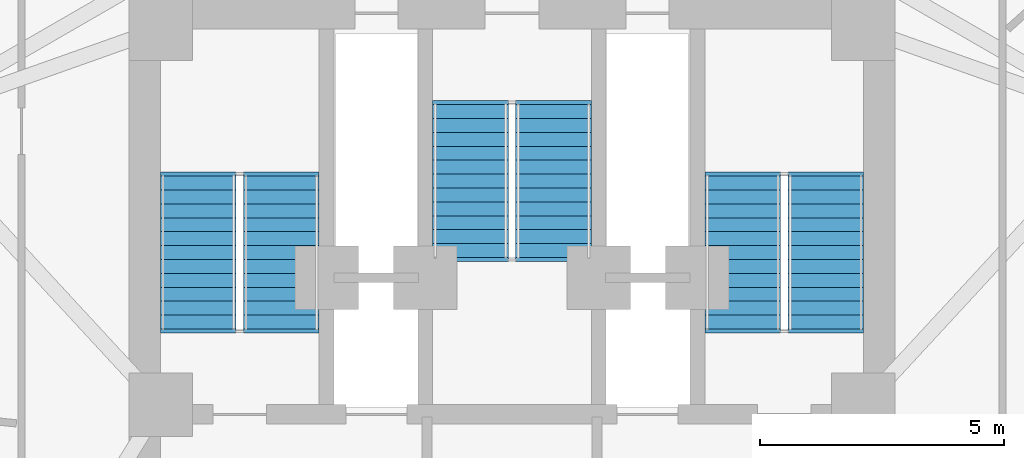
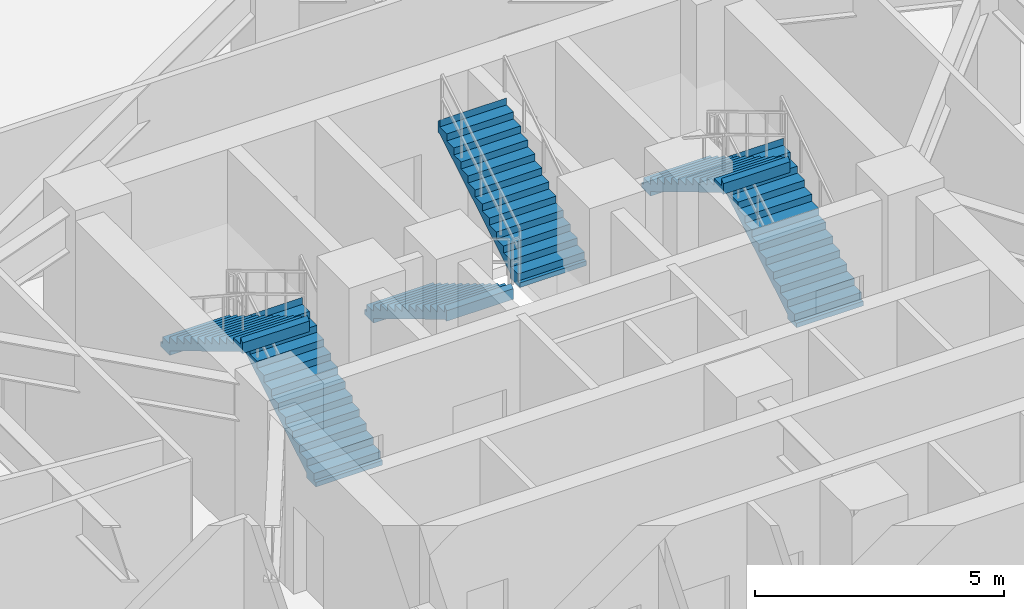
# One storey, part 8 of 12: 6 stair flights, 3 elements without a shape of their own.
"""IFC4 building model written with IfcOpenShell, lengths in metres."""

from ifc_helpers import new_model, si_unit, direction, frame, origin, place, context, subcontext, project, spatial, polyline, outline, extrude, material, type_object, element, aggregate, save


model = new_model("IFC4")

# Units and contexts
model_context = context("Model", 3, precision=1e-05, world=origin(), true_north=direction((0.0, 1.0)))
body_context = subcontext(model_context, "Body", "Model", "MODEL_VIEW")
ifc_project = project(units=[si_unit("LENGTHUNIT", "METRE"), si_unit("AREAUNIT", "SQUARE_METRE"), si_unit("VOLUMEUNIT", "CUBIC_METRE"), si_unit("PLANEANGLEUNIT", "RADIAN"), si_unit("MASSUNIT", "GRAM", prefix="KILO")], contexts=[model_context])

# Site, building, storey
site_placement = place(None, origin())
site = spatial("IfcSite", under=ifc_project, at=site_placement, CompositionType="ELEMENT")
building_placement = place(site_placement, origin())
building = spatial("IfcBuilding", under=site, at=building_placement, Name="Apsidion Concourse Tower", CompositionType="ELEMENT")
storey_placement = place(building_placement, frame((0.0, 0.0, 173.699951171875)))
storey = spatial("IfcBuildingStorey", under=building, at=storey_placement, Name="L40", CompositionType="ELEMENT", Elevation=173.699951171875)

# Stair, stair flights
ifc_material = material(Name="Precast concrete C40/50", Category="concrete")
stair_type = type_object("IfcStairType", Name="ST-DL-1550", PredefinedType="HALF_TURN_STAIR", material=ifc_material)
stair_1_placement = place(storey_placement, origin())
stair_1 = element("IfcStair", 1, at=stair_1_placement, inside=storey, type_object=stair_type, Name="L40 Protected Core Exit Stair ST1", PredefinedType="HALF_TURN_STAIR")
stair_flight_type = type_object("IfcStairFlightType", Name="SFL-RC-1550", PredefinedType="STRAIGHT", material=ifc_material)
stair_flight_1_placement = place(storey_placement, frame((-4.72509765625, 3.0, 0.0), z_axis=(0.0, 0.0, 1.0), x_axis=(0.0, 1.0, 0.0)))
stair_flight_1 = element("IfcStairFlight", 2, at=stair_flight_1_placement, type_object=stair_flight_type, Name="ST1 flight 1", NumberOfRisers=12, NumberOfTreads=11, PredefinedType="STRAIGHT", RiserHeight=0.170833333, TreadLength=0.285, context=body_context, shape_type="SweptSolid", body=[
    extrude(outline(polyline([(-0.080078125, -0.1123046875), (-0.080078125, 0.0), (0.0, 0.0), (0.0, 0.1708984375), (0.284912109375, 0.1708984375), (0.284912109375, 0.341552734375), (0.570068359375, 0.341552734375), (0.570068359375, 0.512451171875), (0.85498046875, 0.512451171875), (0.85498046875, 0.683349609375), (1.139892578125, 0.683349609375), (1.139892578125, 0.854248046875), (1.425048828125, 0.854248046875), (1.425048828125, 1.02490234375), (1.7099609375, 1.02490234375), (1.7099609375, 1.19580078125), (1.9951171875, 1.19580078125), (1.9951171875, 1.36669921875), (2.280029296875, 1.36669921875), (2.280029296875, 1.53759765625), (2.56494140625, 1.53759765625), (2.56494140625, 1.708251953125), (2.85009765625, 1.708251953125), (2.85009765625, 1.879150390625), (3.135009765625, 1.879150390625), (3.135009765625, 2.050048828125), (3.215087890625, 1.964599609375), (3.215087890625, 1.704345703125), (3.135009765625, 1.704345703125), (0.29150390625, 0.0), (0.29150390625, -0.1123046875), (-0.080078125, -0.1123046875)])), frame((0.0, 0.77490234375, 0.0), z_axis=(0.0, -1.0, 0.0), x_axis=(1.0, 0.0, 0.0)), (0.0, 0.0, 1.0), 1.550048828125),
])
stair_flight_2_placement = place(storey_placement, frame((-6.425048828125, 6.135009765625, 2.050048828125), z_axis=(0.0, 0.0, 1.0), x_axis=(0.0, -1.0, 0.0)))
stair_flight_2 = element("IfcStairFlight", 3, at=stair_flight_2_placement, type_object=stair_flight_type, Name="ST1 flight 2", NumberOfRisers=12, NumberOfTreads=11, PredefinedType="STRAIGHT", RiserHeight=0.170833333, TreadLength=0.285, context=body_context, shape_type="SweptSolid", body=[
    extrude(outline(polyline([(-0.080078125, -0.1123046875), (-0.080078125, 0.0), (0.0, 0.0), (0.0, 0.1708984375), (0.284912109375, 0.1708984375), (0.284912109375, 0.341552734375), (0.570068359375, 0.341552734375), (0.570068359375, 0.512451171875), (0.85498046875, 0.512451171875), (0.85498046875, 0.683349609375), (1.139892578125, 0.683349609375), (1.139892578125, 0.854248046875), (1.425048828125, 0.854248046875), (1.425048828125, 1.02490234375), (1.7099609375, 1.02490234375), (1.7099609375, 1.19580078125), (1.9951171875, 1.19580078125), (1.9951171875, 1.36669921875), (2.280029296875, 1.36669921875), (2.280029296875, 1.53759765625), (2.56494140625, 1.53759765625), (2.56494140625, 1.708251953125), (2.85009765625, 1.708251953125), (2.85009765625, 1.879150390625), (3.135009765625, 1.879150390625), (3.135009765625, 2.050048828125), (3.215087890625, 1.964599609375), (3.215087890625, 1.704345703125), (3.135009765625, 1.704345703125), (0.29150390625, 0.0), (0.29150390625, -0.1123046875), (-0.080078125, -0.1123046875)])), frame((0.0, 0.77490234375, 0.0), z_axis=(0.0, -1.0, 0.0), x_axis=(1.0, 0.0, 0.0)), (0.0, 0.0, 1.0), 1.550048828125),
])
aggregate(stair_1, [stair_flight_1, stair_flight_2])

stair_2_placement = place(storey_placement, origin())
stair_2 = element("IfcStair", 4, at=stair_2_placement, inside=storey, type_object=stair_type, Name="L40 Protected Core Exit Stair ST2", PredefinedType="HALF_TURN_STAIR")
stair_flight_3_placement = place(storey_placement, frame((6.425048828125, 3.0, 0.0), z_axis=(0.0, 0.0, 1.0), x_axis=(0.0, 1.0, 0.0)))
stair_flight_3 = element("IfcStairFlight", 5, at=stair_flight_3_placement, type_object=stair_flight_type, Name="ST2 flight 1", NumberOfRisers=12, NumberOfTreads=11, PredefinedType="STRAIGHT", RiserHeight=0.170833333, TreadLength=0.285, context=body_context, shape_type="SweptSolid", body=[
    extrude(outline(polyline([(-0.080078125, -0.1123046875), (-0.080078125, 0.0), (0.0, 0.0), (0.0, 0.1708984375), (0.284912109375, 0.1708984375), (0.284912109375, 0.341552734375), (0.570068359375, 0.341552734375), (0.570068359375, 0.512451171875), (0.85498046875, 0.512451171875), (0.85498046875, 0.683349609375), (1.139892578125, 0.683349609375), (1.139892578125, 0.854248046875), (1.425048828125, 0.854248046875), (1.425048828125, 1.02490234375), (1.7099609375, 1.02490234375), (1.7099609375, 1.19580078125), (1.9951171875, 1.19580078125), (1.9951171875, 1.36669921875), (2.280029296875, 1.36669921875), (2.280029296875, 1.53759765625), (2.56494140625, 1.53759765625), (2.56494140625, 1.708251953125), (2.85009765625, 1.708251953125), (2.85009765625, 1.879150390625), (3.135009765625, 1.879150390625), (3.135009765625, 2.050048828125), (3.215087890625, 1.964599609375), (3.215087890625, 1.704345703125), (3.135009765625, 1.704345703125), (0.29150390625, 0.0), (0.29150390625, -0.1123046875), (-0.080078125, -0.1123046875)])), frame((0.0, 0.77490234375, 0.0), z_axis=(0.0, -1.0, 0.0), x_axis=(1.0, 0.0, 0.0)), (0.0, 0.0, 1.0), 1.550048828125),
])
stair_flight_4_placement = place(storey_placement, frame((4.72509765625, 6.135009765625, 2.050048828125), z_axis=(0.0, 0.0, 1.0), x_axis=(0.0, -1.0, 0.0)))
stair_flight_4 = element("IfcStairFlight", 6, at=stair_flight_4_placement, type_object=stair_flight_type, Name="ST2 flight 2", NumberOfRisers=12, NumberOfTreads=11, PredefinedType="STRAIGHT", RiserHeight=0.170833333, TreadLength=0.285, context=body_context, shape_type="SweptSolid", body=[
    extrude(outline(polyline([(-0.080078125, -0.1123046875), (-0.080078125, 0.0), (0.0, 0.0), (0.0, 0.1708984375), (0.284912109375, 0.1708984375), (0.284912109375, 0.341552734375), (0.570068359375, 0.341552734375), (0.570068359375, 0.512451171875), (0.85498046875, 0.512451171875), (0.85498046875, 0.683349609375), (1.139892578125, 0.683349609375), (1.139892578125, 0.854248046875), (1.425048828125, 0.854248046875), (1.425048828125, 1.02490234375), (1.7099609375, 1.02490234375), (1.7099609375, 1.19580078125), (1.9951171875, 1.19580078125), (1.9951171875, 1.36669921875), (2.280029296875, 1.36669921875), (2.280029296875, 1.53759765625), (2.56494140625, 1.53759765625), (2.56494140625, 1.708251953125), (2.85009765625, 1.708251953125), (2.85009765625, 1.879150390625), (3.135009765625, 1.879150390625), (3.135009765625, 2.050048828125), (3.215087890625, 1.964599609375), (3.215087890625, 1.704345703125), (3.135009765625, 1.704345703125), (0.29150390625, 0.0), (0.29150390625, -0.1123046875), (-0.080078125, -0.1123046875)])), frame((0.0, 0.77490234375, 0.0), z_axis=(0.0, -1.0, 0.0), x_axis=(1.0, 0.0, 0.0)), (0.0, 0.0, 1.0), 1.550048828125),
])
aggregate(stair_2, [stair_flight_3, stair_flight_4])

stair_3_placement = place(storey_placement, origin())
stair_3 = element("IfcStair", 7, at=stair_3_placement, inside=storey, type_object=stair_type, Name="L40 Protected Core Exit Stair ST3", PredefinedType="HALF_TURN_STAIR")
stair_flight_5_placement = place(storey_placement, frame((-0.85009765625, 7.60009765625, 0.0), z_axis=(0.0, 0.0, 1.0), x_axis=(0.0, -1.0, 0.0)))
stair_flight_5 = element("IfcStairFlight", 8, at=stair_flight_5_placement, type_object=stair_flight_type, Name="ST3 flight 1", NumberOfRisers=12, NumberOfTreads=11, PredefinedType="STRAIGHT", RiserHeight=0.170833333, TreadLength=0.285, context=body_context, shape_type="SweptSolid", body=[
    extrude(outline(polyline([(-0.080078125, -0.1123046875), (-0.080078125, 0.0), (0.0, 0.0), (0.0, 0.1708984375), (0.284912109375, 0.1708984375), (0.284912109375, 0.341552734375), (0.570068359375, 0.341552734375), (0.570068359375, 0.512451171875), (0.85498046875, 0.512451171875), (0.85498046875, 0.683349609375), (1.139892578125, 0.683349609375), (1.139892578125, 0.854248046875), (1.425048828125, 0.854248046875), (1.425048828125, 1.02490234375), (1.7099609375, 1.02490234375), (1.7099609375, 1.19580078125), (1.9951171875, 1.19580078125), (1.9951171875, 1.36669921875), (2.280029296875, 1.36669921875), (2.280029296875, 1.53759765625), (2.56494140625, 1.53759765625), (2.56494140625, 1.708251953125), (2.85009765625, 1.708251953125), (2.85009765625, 1.879150390625), (3.135009765625, 1.879150390625), (3.135009765625, 2.050048828125), (3.215087890625, 1.964599609375), (3.215087890625, 1.704345703125), (3.135009765625, 1.704345703125), (0.29150390625, 0.0), (0.29150390625, -0.1123046875), (-0.080078125, -0.1123046875)])), frame((0.0, 0.77490234375, 0.0), z_axis=(0.0, -1.0, 0.0), x_axis=(1.0, 0.0, 0.0)), (0.0, 0.0, 1.0), 1.550048828125),
])
stair_flight_6_placement = place(storey_placement, frame((0.85009765625, 4.465087890625, 2.050048828125), z_axis=(0.0, 0.0, 1.0), x_axis=(0.0, 1.0, 0.0)))
stair_flight_6 = element("IfcStairFlight", 9, at=stair_flight_6_placement, type_object=stair_flight_type, Name="ST3 flight 2", NumberOfRisers=12, NumberOfTreads=11, PredefinedType="STRAIGHT", RiserHeight=0.170833333, TreadLength=0.285, context=body_context, shape_type="SweptSolid", body=[
    extrude(outline(polyline([(-0.080078125, -0.1123046875), (-0.080078125, 0.0), (0.0, 0.0), (0.0, 0.1708984375), (0.284912109375, 0.1708984375), (0.284912109375, 0.341552734375), (0.570068359375, 0.341552734375), (0.570068359375, 0.512451171875), (0.85498046875, 0.512451171875), (0.85498046875, 0.683349609375), (1.139892578125, 0.683349609375), (1.139892578125, 0.854248046875), (1.425048828125, 0.854248046875), (1.425048828125, 1.02490234375), (1.7099609375, 1.02490234375), (1.7099609375, 1.19580078125), (1.9951171875, 1.19580078125), (1.9951171875, 1.36669921875), (2.280029296875, 1.36669921875), (2.280029296875, 1.53759765625), (2.56494140625, 1.53759765625), (2.56494140625, 1.708251953125), (2.85009765625, 1.708251953125), (2.85009765625, 1.879150390625), (3.135009765625, 1.879150390625), (3.135009765625, 2.050048828125), (3.215087890625, 1.964599609375), (3.215087890625, 1.704345703125), (3.135009765625, 1.704345703125), (0.29150390625, 0.0), (0.29150390625, -0.1123046875), (-0.080078125, -0.1123046875)])), frame((0.0, 0.77490234375, 0.0), z_axis=(0.0, -1.0, 0.0), x_axis=(1.0, 0.0, 0.0)), (0.0, 0.0, 1.0), 1.550048828125),
])
aggregate(stair_3, [stair_flight_5, stair_flight_6])

save(model, "model.ifc")
